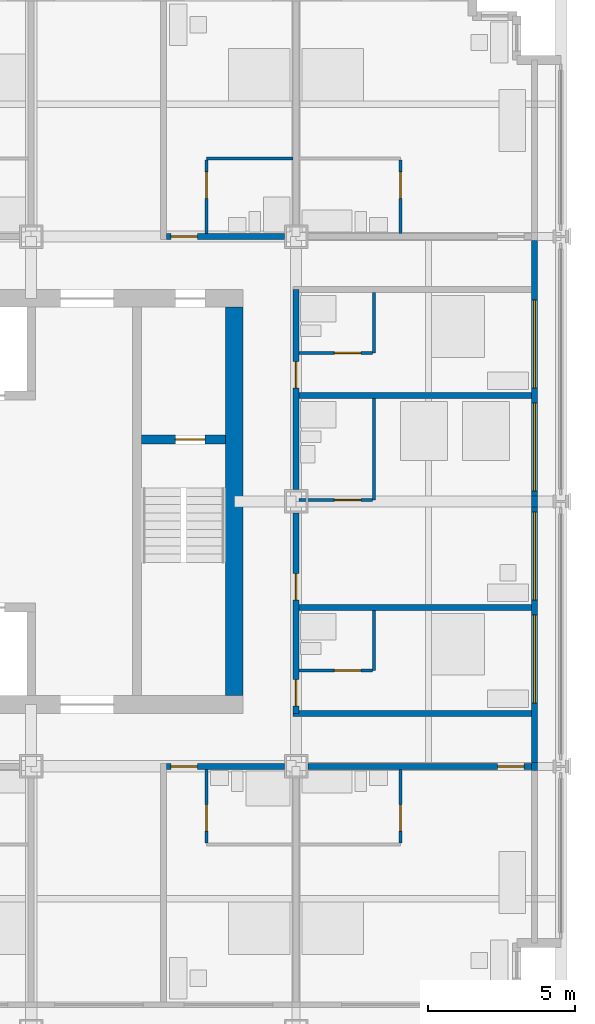
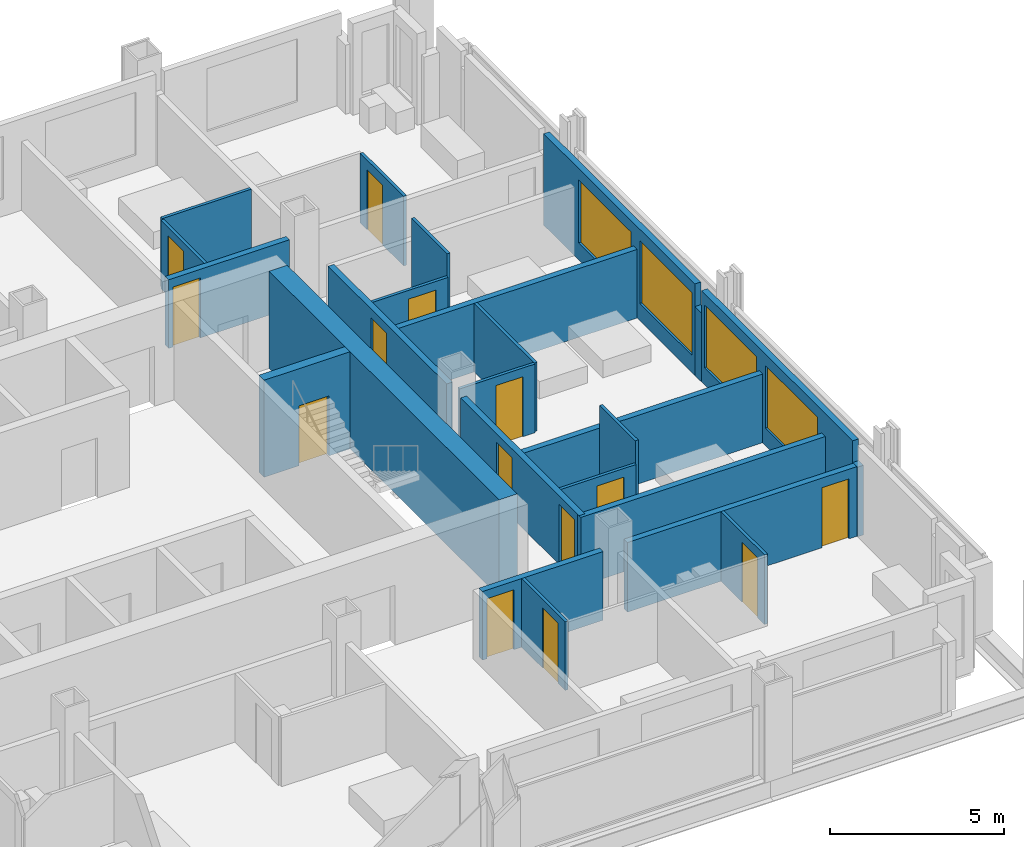
# One storey, part 12 of 17: 25 walls, 14 doors, 4 windows, 18 openings.
"""IFC4 building model written with IfcOpenShell, lengths in metres."""

from ifc_helpers import new_model, si_unit, direction, frame, frame_2d, origin, place, context, subcontext, project, spatial, rectangle, extrude, material, layer, layer_set, type_object, element, fill, save


model = new_model("IFC4")

# Units and contexts
model_context = context("Model", 3, precision=1e-05, world=origin(), true_north=direction((0.0, 1.0)))
body_context = subcontext(model_context, "Body", "Model", "MODEL_VIEW")
ifc_project = project(units=[si_unit("LENGTHUNIT", "METRE"), si_unit("AREAUNIT", "SQUARE_METRE"), si_unit("VOLUMEUNIT", "CUBIC_METRE"), si_unit("PLANEANGLEUNIT", "RADIAN"), si_unit("MASSUNIT", "GRAM", prefix="KILO")], contexts=[model_context])

# Site, building, storey
site_placement = place(None, origin())
site = spatial("IfcSite", under=ifc_project, at=site_placement, CompositionType="ELEMENT")
building_placement = place(site_placement, origin())
building = spatial("IfcBuilding", under=site, at=building_placement, Name="Loomwork Tower", CompositionType="ELEMENT")
storey_placement = place(building_placement, frame((0.0, 0.0, 138.39990234375)))
storey = spatial("IfcBuildingStorey", under=building, at=storey_placement, Name="L37", CompositionType="ELEMENT", Elevation=138.39990234375)

# Wall, opening, door
ifc_material_1 = material(Name="Concrete 14000 psi (97 MPa)", Category="concrete")
ifc_layer_1 = layer(ifc_material_1, 0.300048828125)
ifc_layer_set_1 = layer_set([ifc_layer_1], Name="Core shear wall 300")
wall_type_1 = type_object("IfcWallType", Name="Core shear wall 300", PredefinedType="SHEAR", material=ifc_layer_set_1)
wall_1_placement = place(storey_placement, frame((30.75, 20.10009765625, 0.0), z_axis=(0.0, 0.0, 1.0), x_axis=(1.0, 0.0, 0.0)))
wall_1 = element("IfcWall", 1, at=wall_1_placement, inside=storey, type_object=wall_type_1, Name="Stair B north wall L37", PredefinedType="SHEAR", context=body_context, shape_type="SweptSolid", body=[
    extrude(rectangle(XDim=2.85009765625, YDim=0.300048828125, at=frame_2d((1.425048828125, 0.0))), origin(), (0.0, 0.0, 1.0), 3.400146484375),
])
opening_1_placement = place(wall_1_placement, frame((1.14990234375, 0.0, 0.0)))
opening_1 = element("IfcOpeningElement", 2, at=opening_1_placement, cuts=wall_1, Name="Opening D4", PredefinedType="OPENING", context=body_context, shape_type="SweptSolid", body=[
    extrude(rectangle(XDim=1.0, YDim=2.10009765625, at=frame_2d((0.5, 1.050048828125))), frame((0.0, 0.159912109375, 0.0), z_axis=(0.0, -1.0, 0.0), x_axis=(1.0, 0.0, 0.0)), (0.0, 0.0, 1.0), 0.320068359375),
])
ifc_material_2 = material(Name="Hollow metal door and frame")
door_type_1 = type_object("IfcDoorType", Name="Stair door 1000", OperationType="SINGLE_SWING_RIGHT", PredefinedType="DOOR", material=ifc_material_2)
door_1_placement = place(opening_1_placement, frame((1.0, 0.0, 0.0), z_axis=(0.0, 0.0, 1.0), x_axis=(-1.0, 0.0, 0.0)))
door_1 = element("IfcDoor", 3, at=door_1_placement, inside=storey, type_object=door_type_1, Name="Stair B door", OperationType="SINGLE_SWING_LEFT", OverallHeight=2.10009765625, OverallWidth=1.0, PredefinedType="DOOR", context=body_context, shape_type="SweptSolid", body=[
    extrude(rectangle(XDim=1.0, YDim=2.10009765625, at=frame_2d((0.5, 1.050048828125))), frame((0.0, 0.02490234375, 0.0), z_axis=(0.0, -1.0, 0.0), x_axis=(1.0, 0.0, 0.0)), (0.0, 0.0, 1.0), 0.050048828125),
])
fill(opening_1, door_1)

# Wall
ifc_material_3 = material(Name="Concrete 14000 psi (97 MPa)", Category="concrete")
ifc_layer_2 = layer(ifc_material_3, 0.60009765625)
ifc_layer_set_2 = layer_set([ifc_layer_2], Name="Core shear wall 600")
wall_type_2 = type_object("IfcWallType", Name="Core shear wall 600", PredefinedType="SHEAR", material=ifc_layer_set_2)
wall_2_placement = place(storey_placement, frame((33.89990234375, 11.39990234375, 0.0), z_axis=(0.0, 0.0, 1.0), x_axis=(0.0, 1.0, 0.0)))
element("IfcWall", 4, at=wall_2_placement, inside=storey, type_object=wall_type_2, Name="Core wall east L37", PredefinedType="SHEAR", context=body_context, shape_type="SweptSolid", body=[
    extrude(rectangle(XDim=13.2001953125, YDim=0.60009765625, at=frame_2d((6.60009765625, 0.0))), origin(), (0.0, 0.0, 1.0), 3.400146484375),
])

# Wall, opening, door
ifc_material_4 = material(Name="Gypsum board on steel studs, one-hour", Category="steel")
ifc_layer_3 = layer(ifc_material_4, 0.199951171875)
ifc_layer_set_3 = layer_set([ifc_layer_3], Name="Corridor wall 200")
wall_type_3 = type_object("IfcWallType", Name="Corridor wall 200", PredefinedType="PARTITIONING", material=ifc_layer_set_3)
wall_3_placement = place(storey_placement, frame((31.60009765625, 9.0, 0.0), z_axis=(0.0, 0.0, 1.0), x_axis=(1.0, 0.0, 0.0)))
wall_3 = element("IfcWall", 5, at=wall_3_placement, inside=storey, type_object=wall_type_3, Name="South corridor wall 4", PredefinedType="PARTITIONING", context=body_context, shape_type="SweptSolid", body=[
    extrude(rectangle(XDim=4.0, YDim=0.199951171875, at=frame_2d((2.0, 0.0))), origin(), (0.0, 0.0, 1.0), 2.405029296875),
])
opening_2_placement = place(wall_3_placement, frame((0.14990234375, 0.0, 0.0)))
opening_2 = element("IfcOpeningElement", 6, at=opening_2_placement, cuts=wall_3, Name="Opening D1", PredefinedType="OPENING", context=body_context, shape_type="SweptSolid", body=[
    extrude(rectangle(XDim=0.89990234375, YDim=2.10009765625, at=frame_2d((0.449951171875, 1.050048828125))), frame((0.0, 0.10986328125, 0.0), z_axis=(0.0, -1.0, 0.0), x_axis=(1.0, 0.0, 0.0)), (0.0, 0.0, 1.0), 0.219970703125),
])
ifc_material_5 = material(Name="Hollow metal door and frame")
door_type_2 = type_object("IfcDoorType", Name="Guest room entry door 900", OperationType="SINGLE_SWING_LEFT", PredefinedType="DOOR", material=ifc_material_5)
door_2_placement = place(opening_2_placement, frame((0.89990234375, 0.0, 0.0), z_axis=(0.0, 0.0, 1.0), x_axis=(-1.0, 0.0, 0.0)))
door_2 = element("IfcDoor", 7, at=door_2_placement, inside=storey, type_object=door_type_2, Name="Guest room entry door L37 5", OperationType="SINGLE_SWING_RIGHT", OverallHeight=2.10009765625, OverallWidth=0.89990234375, PredefinedType="DOOR", context=body_context, shape_type="SweptSolid", body=[
    extrude(rectangle(XDim=0.89990234375, YDim=2.10009765625, at=frame_2d((0.449951171875, 1.050048828125))), frame((0.0, 0.02490234375, 0.0), z_axis=(0.0, -1.0, 0.0), x_axis=(1.0, 0.0, 0.0)), (0.0, 0.0, 1.0), 0.050048828125),
])
fill(opening_2, door_2)

wall_4_placement = place(storey_placement, frame((36.39990234375, 9.0, 0.0), z_axis=(0.0, 0.0, 1.0), x_axis=(1.0, 0.0, 0.0)))
wall_4 = element("IfcWall", 8, at=wall_4_placement, inside=storey, type_object=wall_type_3, Name="South corridor wall 5", PredefinedType="PARTITIONING", context=body_context, shape_type="SweptSolid", body=[
    extrude(rectangle(XDim=7.60009765625, YDim=0.199951171875, at=frame_2d((3.800048828125, 0.0))), origin(), (0.0, 0.0, 1.0), 2.43798828125),
])
opening_3_placement = place(wall_4_placement, frame((6.449951171875, 0.0, 0.0)))
opening_3 = element("IfcOpeningElement", 9, at=opening_3_placement, cuts=wall_4, Name="Opening D1", PredefinedType="OPENING", context=body_context, shape_type="SweptSolid", body=[
    extrude(rectangle(XDim=0.89990234375, YDim=2.10009765625, at=frame_2d((0.449951171875, 1.050048828125))), frame((0.0, 0.10986328125, 0.0), z_axis=(0.0, -1.0, 0.0), x_axis=(1.0, 0.0, 0.0)), (0.0, 0.0, 1.0), 0.219970703125),
])
door_3_placement = place(opening_3_placement, frame((0.89990234375, 0.0, 0.0), z_axis=(0.0, 0.0, 1.0), x_axis=(-1.0, 0.0, 0.0)))
door_3 = element("IfcDoor", 10, at=door_3_placement, inside=storey, type_object=door_type_2, Name="Guest room entry door L37 6", OperationType="SINGLE_SWING_LEFT", OverallHeight=2.10009765625, OverallWidth=0.89990234375, PredefinedType="DOOR", context=body_context, shape_type="SweptSolid", body=[
    extrude(rectangle(XDim=0.89990234375, YDim=2.10009765625, at=frame_2d((0.449951171875, 1.050048828125))), frame((0.0, 0.02490234375, 0.0), z_axis=(0.0, -1.0, 0.0), x_axis=(1.0, 0.0, 0.0)), (0.0, 0.0, 1.0), 0.050048828125),
])
fill(opening_3, door_3)

wall_5_placement = place(storey_placement, frame((31.60009765625, 27.0, 0.0), z_axis=(0.0, 0.0, 1.0), x_axis=(1.0, 0.0, 0.0)))
wall_5 = element("IfcWall", 11, at=wall_5_placement, inside=storey, type_object=wall_type_3, Name="North corridor wall 4", PredefinedType="PARTITIONING", context=body_context, shape_type="SweptSolid", body=[
    extrude(rectangle(XDim=4.0, YDim=0.199951171875, at=frame_2d((2.0, 0.0))), origin(), (0.0, 0.0, 1.0), 2.405029296875),
])
opening_4_placement = place(wall_5_placement, frame((0.14990234375, 0.0, 0.0)))
opening_4 = element("IfcOpeningElement", 12, at=opening_4_placement, cuts=wall_5, Name="Opening D1", PredefinedType="OPENING", context=body_context, shape_type="SweptSolid", body=[
    extrude(rectangle(XDim=0.89990234375, YDim=2.10009765625, at=frame_2d((0.449951171875, 1.050048828125))), frame((0.0, 0.10986328125, 0.0), z_axis=(0.0, -1.0, 0.0), x_axis=(1.0, 0.0, 0.0)), (0.0, 0.0, 1.0), 0.219970703125),
])
door_4_placement = place(opening_4_placement, origin())
door_4 = element("IfcDoor", 13, at=door_4_placement, inside=storey, type_object=door_type_2, Name="Guest room entry door L37 12", OperationType="SINGLE_SWING_LEFT", OverallHeight=2.10009765625, OverallWidth=0.89990234375, PredefinedType="DOOR", context=body_context, shape_type="SweptSolid", body=[
    extrude(rectangle(XDim=0.89990234375, YDim=2.10009765625, at=frame_2d((0.449951171875, 1.050048828125))), frame((0.0, 0.02490234375, 0.0), z_axis=(0.0, -1.0, 0.0), x_axis=(1.0, 0.0, 0.0)), (0.0, 0.0, 1.0), 0.050048828125),
])
fill(opening_4, door_4)

# Wall, openings, doors
wall_6_placement = place(storey_placement, frame((36.0, 10.800048828125, 0.0), z_axis=(0.0, 0.0, 1.0), x_axis=(0.0, 1.0, 0.0)))
wall_6 = element("IfcWall", 14, at=wall_6_placement, inside=storey, type_object=wall_type_3, Name="East corridor wall 1", PredefinedType="PARTITIONING", context=body_context, shape_type="SweptSolid", body=[
    extrude(rectangle(XDim=6.800048828125, YDim=0.199951171875, at=frame_2d((3.39990234375, 0.0))), origin(), (0.0, 0.0, 1.0), 2.405029296875),
])
opening_5_placement = place(wall_6_placement, frame((0.25, 0.0, 0.0)))
opening_5 = element("IfcOpeningElement", 15, at=opening_5_placement, cuts=wall_6, Name="Opening D1", PredefinedType="OPENING", context=body_context, shape_type="SweptSolid", body=[
    extrude(rectangle(XDim=0.89990234375, YDim=2.10009765625, at=frame_2d((0.449951171875, 1.050048828125))), frame((0.0, 0.10986328125, 0.0), z_axis=(0.0, -1.0, 0.0), x_axis=(1.0, 0.0, 0.0)), (0.0, 0.0, 1.0), 0.219970703125),
])
opening_6_placement = place(wall_6_placement, frame((3.85009765625, 0.0, 0.0)))
opening_6 = element("IfcOpeningElement", 16, at=opening_6_placement, cuts=wall_6, Name="Opening D1", PredefinedType="OPENING", context=body_context, shape_type="SweptSolid", body=[
    extrude(rectangle(XDim=0.89990234375, YDim=2.10009765625, at=frame_2d((0.449951171875, 1.050048828125))), frame((0.0, 0.10986328125, 0.0), z_axis=(0.0, -1.0, 0.0), x_axis=(1.0, 0.0, 0.0)), (0.0, 0.0, 1.0), 0.219970703125),
])
door_5_placement = place(opening_5_placement, frame((0.89990234375, 0.0, 0.0), z_axis=(0.0, 0.0, 1.0), x_axis=(-1.0, 0.0, 0.0)))
door_5 = element("IfcDoor", 17, at=door_5_placement, inside=storey, type_object=door_type_2, Name="Guest room entry door L37 17", OperationType="SINGLE_SWING_RIGHT", OverallHeight=2.10009765625, OverallWidth=0.89990234375, PredefinedType="DOOR", context=body_context, shape_type="SweptSolid", body=[
    extrude(rectangle(XDim=0.89990234375, YDim=2.10009765625, at=frame_2d((0.449951171875, 1.050048828125))), frame((0.0, 0.02490234375, 0.0), z_axis=(0.0, -1.0, 0.0), x_axis=(1.0, 0.0, 0.0)), (0.0, 0.0, 1.0), 0.050048828125),
])
fill(opening_5, door_5)
door_6_placement = place(opening_6_placement, frame((0.89990234375, 0.0, 0.0), z_axis=(0.0, 0.0, 1.0), x_axis=(-1.0, 0.0, 0.0)))
door_6 = element("IfcDoor", 18, at=door_6_placement, inside=storey, type_object=door_type_2, Name="Guest room entry door L37 18", OperationType="SINGLE_SWING_RIGHT", OverallHeight=2.10009765625, OverallWidth=0.89990234375, PredefinedType="DOOR", context=body_context, shape_type="SweptSolid", body=[
    extrude(rectangle(XDim=0.89990234375, YDim=2.10009765625, at=frame_2d((0.449951171875, 1.050048828125))), frame((0.0, 0.02490234375, 0.0), z_axis=(0.0, -1.0, 0.0), x_axis=(1.0, 0.0, 0.0)), (0.0, 0.0, 1.0), 0.050048828125),
])
fill(opening_6, door_6)

# Wall, opening, door
wall_7_placement = place(storey_placement, frame((36.0, 18.39990234375, 0.0), z_axis=(0.0, 0.0, 1.0), x_axis=(0.0, 1.0, 0.0)))
wall_7 = element("IfcWall", 19, at=wall_7_placement, inside=storey, type_object=wall_type_3, Name="East corridor wall 2", PredefinedType="PARTITIONING", context=body_context, shape_type="SweptSolid", body=[
    extrude(rectangle(XDim=6.800048828125, YDim=0.199951171875, at=frame_2d((3.39990234375, 0.0))), origin(), (0.0, 0.0, 1.0), 2.405029296875),
])
opening_7_placement = place(wall_7_placement, frame((3.449951171875, 0.0, 0.0)))
opening_7 = element("IfcOpeningElement", 20, at=opening_7_placement, cuts=wall_7, Name="Opening D1", PredefinedType="OPENING", context=body_context, shape_type="SweptSolid", body=[
    extrude(rectangle(XDim=0.89990234375, YDim=2.10009765625, at=frame_2d((0.449951171875, 1.050048828125))), frame((0.0, 0.10986328125, 0.0), z_axis=(0.0, -1.0, 0.0), x_axis=(1.0, 0.0, 0.0)), (0.0, 0.0, 1.0), 0.219970703125),
])
door_7_placement = place(opening_7_placement, frame((0.89990234375, 0.0, 0.0), z_axis=(0.0, 0.0, 1.0), x_axis=(-1.0, 0.0, 0.0)))
door_7 = element("IfcDoor", 21, at=door_7_placement, inside=storey, type_object=door_type_2, Name="Guest room entry door L37 19", OperationType="SINGLE_SWING_RIGHT", OverallHeight=2.10009765625, OverallWidth=0.89990234375, PredefinedType="DOOR", context=body_context, shape_type="SweptSolid", body=[
    extrude(rectangle(XDim=0.89990234375, YDim=2.10009765625, at=frame_2d((0.449951171875, 1.050048828125))), frame((0.0, 0.02490234375, 0.0), z_axis=(0.0, -1.0, 0.0), x_axis=(1.0, 0.0, 0.0)), (0.0, 0.0, 1.0), 0.050048828125),
])
fill(opening_7, door_7)

# Wall
wall_8_placement = place(storey_placement, frame((35.89990234375, 10.800048828125, 0.0), z_axis=(0.0, 0.0, 1.0), x_axis=(1.0, 0.0, 0.0)))
element("IfcWall", 22, at=wall_8_placement, inside=storey, type_object=wall_type_3, Name="East band end wall S", PredefinedType="PARTITIONING", context=body_context, shape_type="SweptSolid", body=[
    extrude(rectangle(XDim=8.10009765625, YDim=0.199951171875, at=frame_2d((4.050048828125, 0.0))), origin(), (0.0, 0.0, 1.0), 2.404052734375),
])

# Wall, opening, door
ifc_material_6 = material(Name="Cement board on steel studs", Category="steel")
ifc_layer_4 = layer(ifc_material_6, 0.10009765625)
ifc_layer_set_4 = layer_set([ifc_layer_4], Name="En-suite partition 100")
wall_type_4 = type_object("IfcWallType", Name="En-suite partition 100", PredefinedType="PARTITIONING", material=ifc_layer_set_4)
wall_9_placement = place(storey_placement, frame((32.949951171875, 8.89990234375, 0.0), z_axis=(0.0, 0.0, 1.0), x_axis=(0.0, -1.0, 0.0)))
wall_9 = element("IfcWall", 23, at=wall_9_placement, inside=storey, type_object=wall_type_4, Name="En-suite side wall L37 room 5", PredefinedType="PARTITIONING", context=body_context, shape_type="SweptSolid", body=[
    extrude(rectangle(XDim=2.5, YDim=0.10009765625, at=frame_2d((1.25, 0.0))), origin(), (0.0, 0.0, 1.0), 2.404052734375),
])
opening_8_placement = place(wall_9_placement, frame((1.199951171875, 0.0, 0.0)))
opening_8 = element("IfcOpeningElement", 24, at=opening_8_placement, cuts=wall_9, Name="Opening D3", PredefinedType="OPENING", context=body_context, shape_type="SweptSolid", body=[
    extrude(rectangle(XDim=0.89990234375, YDim=2.10009765625, at=frame_2d((0.449951171875, 1.050048828125))), frame((0.0, 0.06005859375, 0.0), z_axis=(0.0, -1.0, 0.0), x_axis=(1.0, 0.0, 0.0)), (0.0, 0.0, 1.0), 0.1201171875),
])
ifc_material_7 = material(Name="Hollow metal door and frame")
door_type_3 = type_object("IfcDoorType", Name="Accessible en-suite door 900", OperationType="SLIDING_TO_LEFT", PredefinedType="DOOR", material=ifc_material_7)
door_8_placement = place(opening_8_placement, origin())
door_8 = element("IfcDoor", 25, at=door_8_placement, inside=storey, type_object=door_type_3, Name="Accessible en-suite door room 5", OperationType="SLIDING_TO_LEFT", OverallHeight=2.10009765625, OverallWidth=0.89990234375, PredefinedType="DOOR", context=body_context, shape_type="SweptSolid", body=[
    extrude(rectangle(XDim=0.89990234375, YDim=2.10009765625, at=frame_2d((0.449951171875, 1.050048828125))), frame((0.0, 0.02490234375, 0.0), z_axis=(0.0, -1.0, 0.0), x_axis=(1.0, 0.0, 0.0)), (0.0, 0.0, 1.0), 0.050048828125),
])
fill(opening_8, door_8)

wall_10_placement = place(storey_placement, frame((39.550048828125, 8.89990234375, 0.0), z_axis=(0.0, 0.0, 1.0), x_axis=(0.0, -1.0, 0.0)))
wall_10 = element("IfcWall", 26, at=wall_10_placement, inside=storey, type_object=wall_type_4, Name="En-suite side wall L37 room 6", PredefinedType="PARTITIONING", context=body_context, shape_type="SweptSolid", body=[
    extrude(rectangle(XDim=2.5, YDim=0.10009765625, at=frame_2d((1.25, 0.0))), origin(), (0.0, 0.0, 1.0), 2.43798828125),
])
opening_9_placement = place(wall_10_placement, frame((1.199951171875, 0.0, 0.0)))
opening_9 = element("IfcOpeningElement", 27, at=opening_9_placement, cuts=wall_10, Name="Opening D2", PredefinedType="OPENING", context=body_context, shape_type="SweptSolid", body=[
    extrude(rectangle(XDim=0.89990234375, YDim=2.10009765625, at=frame_2d((0.449951171875, 1.050048828125))), frame((0.0, 0.06005859375, 0.0), z_axis=(0.0, -1.0, 0.0), x_axis=(1.0, 0.0, 0.0)), (0.0, 0.0, 1.0), 0.1201171875),
])
ifc_material_8 = material(Name="Hollow metal door and frame")
door_type_4 = type_object("IfcDoorType", Name="En-suite door 900", OperationType="SINGLE_SWING_LEFT", PredefinedType="DOOR", material=ifc_material_8)
door_9_placement = place(opening_9_placement, frame((0.89990234375, 0.0, 0.0), z_axis=(0.0, 0.0, 1.0), x_axis=(-1.0, 0.0, 0.0)))
door_9 = element("IfcDoor", 28, at=door_9_placement, inside=storey, type_object=door_type_4, Name="En-suite door room 6", OperationType="SINGLE_SWING_LEFT", OverallHeight=2.10009765625, OverallWidth=0.89990234375, PredefinedType="DOOR", context=body_context, shape_type="SweptSolid", body=[
    extrude(rectangle(XDim=0.89990234375, YDim=2.10009765625, at=frame_2d((0.449951171875, 1.050048828125))), frame((0.0, 0.02490234375, 0.0), z_axis=(0.0, -1.0, 0.0), x_axis=(1.0, 0.0, 0.0)), (0.0, 0.0, 1.0), 0.050048828125),
])
fill(opening_9, door_9)

# Wall
wall_11_placement = place(storey_placement, frame((32.949951171875, 29.64990234375, 0.0), z_axis=(0.0, 0.0, 1.0), x_axis=(1.0, 0.0, 0.0)))
element("IfcWall", 29, at=wall_11_placement, inside=storey, type_object=wall_type_4, Name="En-suite wall L37 room 12", PredefinedType="PARTITIONING", context=body_context, shape_type="SweptSolid", body=[
    extrude(rectangle(XDim=2.949951171875, YDim=0.10009765625, at=frame_2d((1.47509765625, 0.0))), origin(), (0.0, 0.0, 1.0), 2.43798828125),
])

# Wall, opening, door
wall_12_placement = place(storey_placement, frame((32.949951171875, 27.10009765625, 0.0), z_axis=(0.0, 0.0, 1.0), x_axis=(0.0, 1.0, 0.0)))
wall_12 = element("IfcWall", 30, at=wall_12_placement, inside=storey, type_object=wall_type_4, Name="En-suite side wall L37 room 12", PredefinedType="PARTITIONING", context=body_context, shape_type="SweptSolid", body=[
    extrude(rectangle(XDim=2.5, YDim=0.10009765625, at=frame_2d((1.25, 0.0))), origin(), (0.0, 0.0, 1.0), 2.404052734375),
])
opening_10_placement = place(wall_12_placement, frame((1.199951171875, 0.0, 0.0)))
opening_10 = element("IfcOpeningElement", 31, at=opening_10_placement, cuts=wall_12, Name="Opening D2", PredefinedType="OPENING", context=body_context, shape_type="SweptSolid", body=[
    extrude(rectangle(XDim=0.89990234375, YDim=2.10009765625, at=frame_2d((0.449951171875, 1.050048828125))), frame((0.0, 0.06005859375, 0.0), z_axis=(0.0, -1.0, 0.0), x_axis=(1.0, 0.0, 0.0)), (0.0, 0.0, 1.0), 0.1201171875),
])
door_10_placement = place(opening_10_placement, frame((0.89990234375, 0.0, 0.0), z_axis=(0.0, 0.0, 1.0), x_axis=(-1.0, 0.0, 0.0)))
door_10 = element("IfcDoor", 32, at=door_10_placement, inside=storey, type_object=door_type_4, Name="En-suite door room 12", OperationType="SINGLE_SWING_LEFT", OverallHeight=2.10009765625, OverallWidth=0.89990234375, PredefinedType="DOOR", context=body_context, shape_type="SweptSolid", body=[
    extrude(rectangle(XDim=0.89990234375, YDim=2.10009765625, at=frame_2d((0.449951171875, 1.050048828125))), frame((0.0, 0.02490234375, 0.0), z_axis=(0.0, -1.0, 0.0), x_axis=(1.0, 0.0, 0.0)), (0.0, 0.0, 1.0), 0.050048828125),
])
fill(opening_10, door_10)

wall_13_placement = place(storey_placement, frame((39.550048828125, 27.10009765625, 0.0), z_axis=(0.0, 0.0, 1.0), x_axis=(0.0, 1.0, 0.0)))
wall_13 = element("IfcWall", 33, at=wall_13_placement, inside=storey, type_object=wall_type_4, Name="En-suite side wall L37 room 13", PredefinedType="PARTITIONING", context=body_context, shape_type="SweptSolid", body=[
    extrude(rectangle(XDim=2.5, YDim=0.10009765625, at=frame_2d((1.25, 0.0))), origin(), (0.0, 0.0, 1.0), 2.43798828125),
])
opening_11_placement = place(wall_13_placement, frame((1.199951171875, 0.0, 0.0)))
opening_11 = element("IfcOpeningElement", 34, at=opening_11_placement, cuts=wall_13, Name="Opening D2", PredefinedType="OPENING", context=body_context, shape_type="SweptSolid", body=[
    extrude(rectangle(XDim=0.89990234375, YDim=2.10009765625, at=frame_2d((0.449951171875, 1.050048828125))), frame((0.0, 0.06005859375, 0.0), z_axis=(0.0, -1.0, 0.0), x_axis=(1.0, 0.0, 0.0)), (0.0, 0.0, 1.0), 0.1201171875),
])
door_11_placement = place(opening_11_placement, origin())
door_11 = element("IfcDoor", 35, at=door_11_placement, inside=storey, type_object=door_type_4, Name="En-suite door room 13", OperationType="SINGLE_SWING_RIGHT", OverallHeight=2.10009765625, OverallWidth=0.89990234375, PredefinedType="DOOR", context=body_context, shape_type="SweptSolid", body=[
    extrude(rectangle(XDim=0.89990234375, YDim=2.10009765625, at=frame_2d((0.449951171875, 1.050048828125))), frame((0.0, 0.02490234375, 0.0), z_axis=(0.0, -1.0, 0.0), x_axis=(1.0, 0.0, 0.0)), (0.0, 0.0, 1.0), 0.050048828125),
])
fill(opening_11, door_11)

# Wall
wall_14_placement = place(storey_placement, frame((38.64990234375, 12.25, 0.0), z_axis=(0.0, 0.0, 1.0), x_axis=(0.0, 1.0, 0.0)))
element("IfcWall", 36, at=wall_14_placement, inside=storey, type_object=wall_type_4, Name="En-suite wall L37 room 17", PredefinedType="PARTITIONING", context=body_context, shape_type="SweptSolid", body=[
    extrude(rectangle(XDim=2.050048828125, YDim=0.10009765625, at=frame_2d((1.02490234375, 0.0))), origin(), (0.0, 0.0, 1.0), 3.2001953125),
])

# Wall, opening, door
wall_15_placement = place(storey_placement, frame((36.10009765625, 12.25, 0.0), z_axis=(0.0, 0.0, 1.0), x_axis=(1.0, 0.0, 0.0)))
wall_15 = element("IfcWall", 37, at=wall_15_placement, inside=storey, type_object=wall_type_4, Name="En-suite side wall L37 room 17", PredefinedType="PARTITIONING", context=body_context, shape_type="SweptSolid", body=[
    extrude(rectangle(XDim=2.5, YDim=0.10009765625, at=frame_2d((1.25, 0.0))), origin(), (0.0, 0.0, 1.0), 2.404052734375),
])
opening_12_placement = place(wall_15_placement, frame((1.199951171875, 0.0, 0.0)))
opening_12 = element("IfcOpeningElement", 38, at=opening_12_placement, cuts=wall_15, Name="Opening D2", PredefinedType="OPENING", context=body_context, shape_type="SweptSolid", body=[
    extrude(rectangle(XDim=0.89990234375, YDim=2.10009765625, at=frame_2d((0.449951171875, 1.050048828125))), frame((0.0, 0.06005859375, 0.0), z_axis=(0.0, -1.0, 0.0), x_axis=(1.0, 0.0, 0.0)), (0.0, 0.0, 1.0), 0.1201171875),
])
door_12_placement = place(opening_12_placement, origin())
door_12 = element("IfcDoor", 39, at=door_12_placement, inside=storey, type_object=door_type_4, Name="En-suite door room 17", OperationType="SINGLE_SWING_RIGHT", OverallHeight=2.10009765625, OverallWidth=0.89990234375, PredefinedType="DOOR", context=body_context, shape_type="SweptSolid", body=[
    extrude(rectangle(XDim=0.89990234375, YDim=2.10009765625, at=frame_2d((0.449951171875, 1.050048828125))), frame((0.0, 0.02490234375, 0.0), z_axis=(0.0, -1.0, 0.0), x_axis=(1.0, 0.0, 0.0)), (0.0, 0.0, 1.0), 0.050048828125),
])
fill(opening_12, door_12)

# Wall
wall_16_placement = place(storey_placement, frame((38.64990234375, 18.050048828125, 0.0), z_axis=(0.0, 0.0, 1.0), x_axis=(0.0, 1.0, 0.0)))
element("IfcWall", 40, at=wall_16_placement, inside=storey, type_object=wall_type_4, Name="En-suite wall L37 room 18", PredefinedType="PARTITIONING", context=body_context, shape_type="SweptSolid", body=[
    extrude(rectangle(XDim=3.449951171875, YDim=0.10009765625, at=frame_2d((1.72509765625, 0.0))), origin(), (0.0, 0.0, 1.0), 2.404052734375),
])

# Wall, opening, door
wall_17_placement = place(storey_placement, frame((36.10009765625, 18.050048828125, 0.0), z_axis=(0.0, 0.0, 1.0), x_axis=(1.0, 0.0, 0.0)))
wall_17 = element("IfcWall", 41, at=wall_17_placement, inside=storey, type_object=wall_type_4, Name="En-suite side wall L37 room 18", PredefinedType="PARTITIONING", context=body_context, shape_type="SweptSolid", body=[
    extrude(rectangle(XDim=2.5, YDim=0.10009765625, at=frame_2d((1.25, 0.0))), origin(), (0.0, 0.0, 1.0), 2.405029296875),
])
opening_13_placement = place(wall_17_placement, frame((1.199951171875, 0.0, 0.0)))
opening_13 = element("IfcOpeningElement", 42, at=opening_13_placement, cuts=wall_17, Name="Opening D2", PredefinedType="OPENING", context=body_context, shape_type="SweptSolid", body=[
    extrude(rectangle(XDim=0.89990234375, YDim=2.10009765625, at=frame_2d((0.449951171875, 1.050048828125))), frame((0.0, 0.06005859375, 0.0), z_axis=(0.0, -1.0, 0.0), x_axis=(1.0, 0.0, 0.0)), (0.0, 0.0, 1.0), 0.1201171875),
])
door_13_placement = place(opening_13_placement, origin())
door_13 = element("IfcDoor", 43, at=door_13_placement, inside=storey, type_object=door_type_4, Name="En-suite door room 18", OperationType="SINGLE_SWING_RIGHT", OverallHeight=2.10009765625, OverallWidth=0.89990234375, PredefinedType="DOOR", context=body_context, shape_type="SweptSolid", body=[
    extrude(rectangle(XDim=0.89990234375, YDim=2.10009765625, at=frame_2d((0.449951171875, 1.050048828125))), frame((0.0, 0.02490234375, 0.0), z_axis=(0.0, -1.0, 0.0), x_axis=(1.0, 0.0, 0.0)), (0.0, 0.0, 1.0), 0.050048828125),
])
fill(opening_13, door_13)

# Wall
wall_18_placement = place(storey_placement, frame((38.64990234375, 23.050048828125, 0.0), z_axis=(0.0, 0.0, 1.0), x_axis=(0.0, 1.0, 0.0)))
element("IfcWall", 44, at=wall_18_placement, inside=storey, type_object=wall_type_4, Name="En-suite wall L37 room 19", PredefinedType="PARTITIONING", context=body_context, shape_type="SweptSolid", body=[
    extrude(rectangle(XDim=2.050048828125, YDim=0.10009765625, at=frame_2d((1.02490234375, 0.0))), origin(), (0.0, 0.0, 1.0), 3.2001953125),
])

# Wall, opening, door
wall_19_placement = place(storey_placement, frame((36.10009765625, 23.050048828125, 0.0), z_axis=(0.0, 0.0, 1.0), x_axis=(1.0, 0.0, 0.0)))
wall_19 = element("IfcWall", 45, at=wall_19_placement, inside=storey, type_object=wall_type_4, Name="En-suite side wall L37 room 19", PredefinedType="PARTITIONING", context=body_context, shape_type="SweptSolid", body=[
    extrude(rectangle(XDim=2.5, YDim=0.10009765625, at=frame_2d((1.25, 0.0))), origin(), (0.0, 0.0, 1.0), 2.404052734375),
])
opening_14_placement = place(wall_19_placement, frame((1.199951171875, 0.0, 0.0)))
opening_14 = element("IfcOpeningElement", 46, at=opening_14_placement, cuts=wall_19, Name="Opening D2", PredefinedType="OPENING", context=body_context, shape_type="SweptSolid", body=[
    extrude(rectangle(XDim=0.89990234375, YDim=2.10009765625, at=frame_2d((0.449951171875, 1.050048828125))), frame((0.0, 0.06005859375, 0.0), z_axis=(0.0, -1.0, 0.0), x_axis=(1.0, 0.0, 0.0)), (0.0, 0.0, 1.0), 0.1201171875),
])
door_14_placement = place(opening_14_placement, origin())
door_14 = element("IfcDoor", 47, at=door_14_placement, inside=storey, type_object=door_type_4, Name="En-suite door room 19", OperationType="SINGLE_SWING_RIGHT", OverallHeight=2.10009765625, OverallWidth=0.89990234375, PredefinedType="DOOR", context=body_context, shape_type="SweptSolid", body=[
    extrude(rectangle(XDim=0.89990234375, YDim=2.10009765625, at=frame_2d((0.449951171875, 1.050048828125))), frame((0.0, 0.02490234375, 0.0), z_axis=(0.0, -1.0, 0.0), x_axis=(1.0, 0.0, 0.0)), (0.0, 0.0, 1.0), 0.050048828125),
])
fill(opening_14, door_14)

# Walls
ifc_material_9 = material(Name="Gypsum board on steel studs, acoustic", Category="steel")
ifc_layer_5 = layer(ifc_material_9, 0.199951171875)
ifc_layer_set_5 = layer_set([ifc_layer_5], Name="Guest room party wall 200")
wall_type_5 = type_object("IfcWallType", Name="Guest room party wall 200", PredefinedType="PARTITIONING", material=ifc_layer_set_5)
for number, where, z_axis, x_axis, name in (
    (48, (36.10009765625, 14.39990234375, 0.0), (0.0, 0.0, 1.0), (1.0, 0.0, 0.0), "Guest room party wall E 14.4"),
    (49, (36.10009765625, 21.60009765625, 0.0), (0.0, 0.0, 1.0), (1.0, 0.0, 0.0), "Guest room party wall E 21.6"),
):
    element("IfcWall", number, at=place(storey_placement, frame(where, z_axis=z_axis, x_axis=x_axis)), inside=storey, type_object=wall_type_5, Name=name, PredefinedType="PARTITIONING", context=body_context, shape_type="SweptSolid", body=[
        extrude(rectangle(XDim=7.89990234375, YDim=0.199951171875, at=frame_2d((3.949951171875, 0.0))), origin(), (0.0, 0.0, 1.0), 2.404052734375),
    ])
ifc_material_10 = material(Name="Insulated steel stud wall with gypsum lining", Category="steel")
ifc_layer_6 = layer(ifc_material_10, 0.199951171875)
ifc_layer_set_6 = layer_set([ifc_layer_6], Name="Inner skin wall 200")
wall_type_6 = type_object("IfcWallType", Name="Inner skin wall 200", PredefinedType="SOLIDWALL", material=ifc_layer_set_6)
wall_20_placement = place(storey_placement, frame((44.10009765625, 8.86474609375, 0.0), z_axis=(0.0, 0.0, 1.0), x_axis=(0.0, 1.0, 0.0)))
element("IfcWall", 50, at=wall_20_placement, inside=storey, type_object=wall_type_6, Name="Inner skin wall E bay 4", PredefinedType="SOLIDWALL", context=body_context, shape_type="SweptSolid", body=[
    extrude(rectangle(XDim=0.2705078125, YDim=0.199951171875, at=frame_2d((0.13525390625, 0.0))), origin(), (0.0, 0.0, 1.0), 2.43798828125),
])

# Wall, openings, windows
wall_21_placement = place(storey_placement, frame((44.10009765625, 9.13525390625, 0.0), z_axis=(0.0, 0.0, 1.0), x_axis=(0.0, 1.0, 0.0)))
wall_21 = element("IfcWall", 51, at=wall_21_placement, inside=storey, type_object=wall_type_6, Name="Inner skin wall E bay 5", PredefinedType="SOLIDWALL", context=body_context, shape_type="SweptSolid", body=[
    extrude(rectangle(XDim=8.6708984375, YDim=0.199951171875, at=frame_2d((4.33544921875, 0.0))), origin(), (0.0, 0.0, 1.0), 3.2001953125),
])
opening_15_placement = place(wall_21_placement, frame((2.0146484375, 0.0, 0.60009765625)))
opening_15 = element("IfcOpeningElement", 52, at=opening_15_placement, cuts=wall_21, Name="Opening CH1", PredefinedType="OPENING", context=body_context, shape_type="SweptSolid", body=[
    extrude(rectangle(XDim=3.0, YDim=2.199951171875, at=frame_2d((1.5, 1.10009765625))), frame((0.0, 0.10986328125, 0.0), z_axis=(0.0, -1.0, 0.0), x_axis=(1.0, 0.0, 0.0)), (0.0, 0.0, 1.0), 0.219970703125),
])
opening_16_placement = place(wall_21_placement, frame((5.5146484375, 0.0, 0.60009765625)))
opening_16 = element("IfcOpeningElement", 53, at=opening_16_placement, cuts=wall_21, Name="Opening CH1", PredefinedType="OPENING", context=body_context, shape_type="SweptSolid", body=[
    extrude(rectangle(XDim=3.0, YDim=2.199951171875, at=frame_2d((1.5, 1.10009765625))), frame((0.0, 0.10986328125, 0.0), z_axis=(0.0, -1.0, 0.0), x_axis=(1.0, 0.0, 0.0)), (0.0, 0.0, 1.0), 0.219970703125),
])
ifc_material_11 = material(Name="Aluminium frame with clear insulated glass", Category="aluminium")
window_type = type_object("IfcWindowType", Name="Chicago window 3000", PartitioningType="TRIPLE_PANEL_VERTICAL", PredefinedType="WINDOW", material=ifc_material_11)
window_1_placement = place(opening_15_placement, origin())
window_1 = element("IfcWindow", 54, at=window_1_placement, inside=storey, type_object=window_type, Name="Chicago window L37 bay 13", OverallHeight=2.199951171875, OverallWidth=3.0, PartitioningType="TRIPLE_PANEL_VERTICAL", PredefinedType="WINDOW", context=body_context, shape_type="SweptSolid", body=[
    extrude(rectangle(XDim=3.0, YDim=2.199951171875, at=frame_2d((1.5, 1.10009765625))), frame((0.0, 0.030029296875, 0.0), z_axis=(0.0, -1.0, 0.0), x_axis=(1.0, 0.0, 0.0)), (0.0, 0.0, 1.0), 0.06005859375),
])
fill(opening_15, window_1)
window_2_placement = place(opening_16_placement, origin())
window_2 = element("IfcWindow", 55, at=window_2_placement, inside=storey, type_object=window_type, Name="Chicago window L37 bay 13", OverallHeight=2.199951171875, OverallWidth=3.0, PartitioningType="TRIPLE_PANEL_VERTICAL", PredefinedType="WINDOW", context=body_context, shape_type="SweptSolid", body=[
    extrude(rectangle(XDim=3.0, YDim=2.199951171875, at=frame_2d((1.5, 1.10009765625))), frame((0.0, 0.030029296875, 0.0), z_axis=(0.0, -1.0, 0.0), x_axis=(1.0, 0.0, 0.0)), (0.0, 0.0, 1.0), 0.06005859375),
])
fill(opening_16, window_2)

# Wall
wall_22_placement = place(storey_placement, frame((44.10009765625, 17.80615234375, 0.0), z_axis=(0.0, 0.0, 1.0), x_axis=(0.0, 1.0, 0.0)))
element("IfcWall", 56, at=wall_22_placement, inside=storey, type_object=wall_type_6, Name="Inner skin wall E bay 6", PredefinedType="SOLIDWALL", context=body_context, shape_type="SweptSolid", body=[
    extrude(rectangle(XDim=0.3876953125, YDim=0.199951171875, at=frame_2d((0.19384765625, 0.0))), origin(), (0.0, 0.0, 1.0), 2.404052734375),
])

# Wall, openings, windows
wall_23_placement = place(storey_placement, frame((44.10009765625, 18.19384765625, 0.0), z_axis=(0.0, 0.0, 1.0), x_axis=(0.0, 1.0, 0.0)))
wall_23 = element("IfcWall", 57, at=wall_23_placement, inside=storey, type_object=wall_type_6, Name="Inner skin wall E bay 7", PredefinedType="SOLIDWALL", context=body_context, shape_type="SweptSolid", body=[
    extrude(rectangle(XDim=8.6708984375, YDim=0.199951171875, at=frame_2d((4.33544921875, 0.0))), origin(), (0.0, 0.0, 1.0), 3.2001953125),
])
opening_17_placement = place(wall_23_placement, frame((0.15625, 0.0, 0.60009765625)))
opening_17 = element("IfcOpeningElement", 58, at=opening_17_placement, cuts=wall_23, Name="Opening CH1", PredefinedType="OPENING", context=body_context, shape_type="SweptSolid", body=[
    extrude(rectangle(XDim=3.0, YDim=2.199951171875, at=frame_2d((1.5, 1.10009765625))), frame((0.0, 0.10986328125, 0.0), z_axis=(0.0, -1.0, 0.0), x_axis=(1.0, 0.0, 0.0)), (0.0, 0.0, 1.0), 0.219970703125),
])
opening_18_placement = place(wall_23_placement, frame((3.65625, 0.0, 0.60009765625)))
opening_18 = element("IfcOpeningElement", 59, at=opening_18_placement, cuts=wall_23, Name="Opening CH1", PredefinedType="OPENING", context=body_context, shape_type="SweptSolid", body=[
    extrude(rectangle(XDim=3.0, YDim=2.199951171875, at=frame_2d((1.5, 1.10009765625))), frame((0.0, 0.10986328125, 0.0), z_axis=(0.0, -1.0, 0.0), x_axis=(1.0, 0.0, 0.0)), (0.0, 0.0, 1.0), 0.219970703125),
])
window_3_placement = place(opening_17_placement, origin())
window_3 = element("IfcWindow", 60, at=window_3_placement, inside=storey, type_object=window_type, Name="Chicago window L37 bay 14", OverallHeight=2.199951171875, OverallWidth=3.0, PartitioningType="TRIPLE_PANEL_VERTICAL", PredefinedType="WINDOW", context=body_context, shape_type="SweptSolid", body=[
    extrude(rectangle(XDim=3.0, YDim=2.199951171875, at=frame_2d((1.5, 1.10009765625))), frame((0.0, 0.030029296875, 0.0), z_axis=(0.0, -1.0, 0.0), x_axis=(1.0, 0.0, 0.0)), (0.0, 0.0, 1.0), 0.06005859375),
])
fill(opening_17, window_3)
window_4_placement = place(opening_18_placement, origin())
window_4 = element("IfcWindow", 61, at=window_4_placement, inside=storey, type_object=window_type, Name="Chicago window L37 bay 14", OverallHeight=2.199951171875, OverallWidth=3.0, PartitioningType="TRIPLE_PANEL_VERTICAL", PredefinedType="WINDOW", context=body_context, shape_type="SweptSolid", body=[
    extrude(rectangle(XDim=3.0, YDim=2.199951171875, at=frame_2d((1.5, 1.10009765625))), frame((0.0, 0.030029296875, 0.0), z_axis=(0.0, -1.0, 0.0), x_axis=(1.0, 0.0, 0.0)), (0.0, 0.0, 1.0), 0.06005859375),
])
fill(opening_18, window_4)

save(model, "model.ifc")
